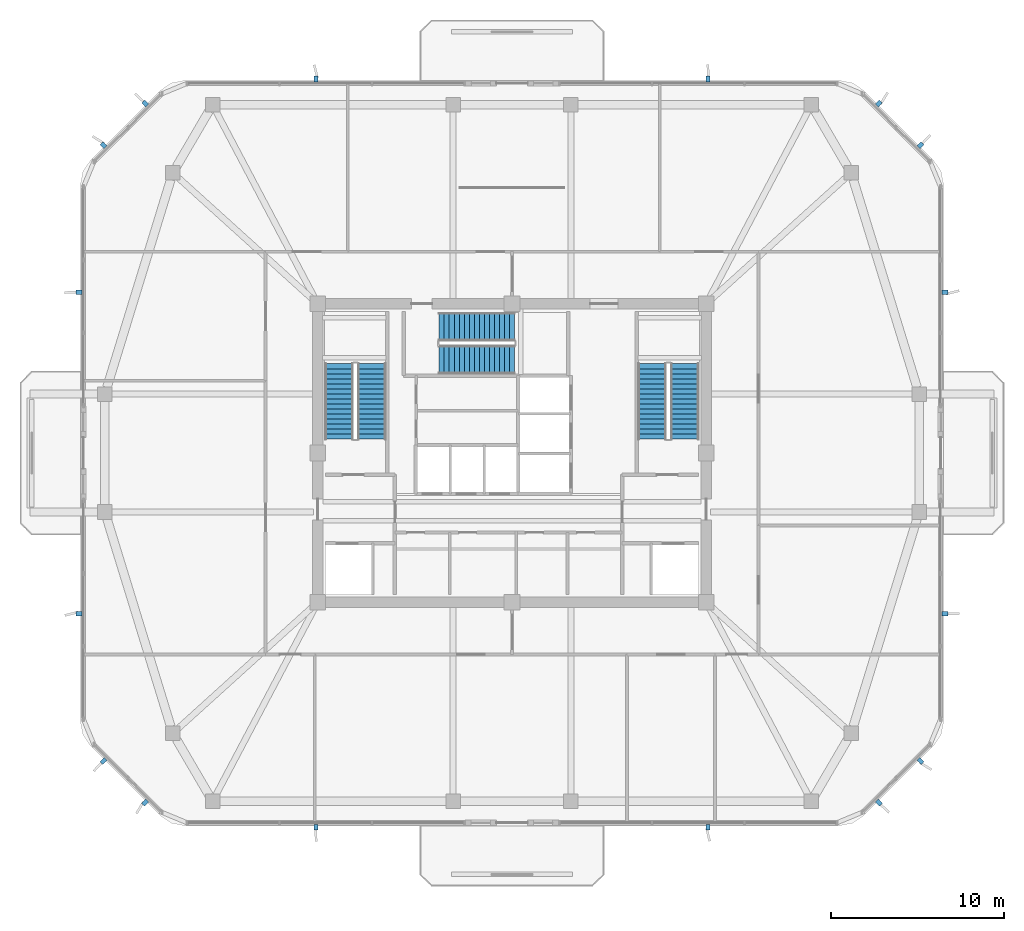
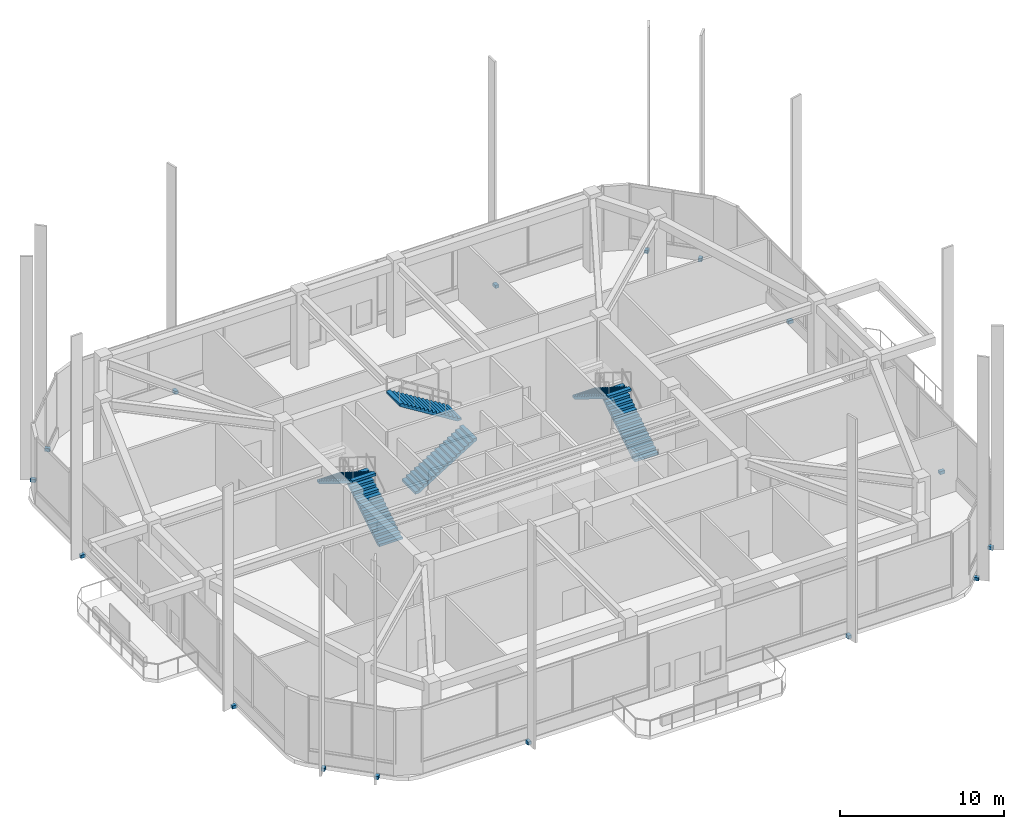
# One storey, part 10 of 14: 16 discrete accessories, 6 stair flights, 3 elements without a shape of their own.
"""IFC4 building model written with IfcOpenShell, lengths in metres."""

from ifc_helpers import new_model, si_unit, derived_unit, direction, frame, origin, origin_2d, place, context, subcontext, project, spatial, polyline, rectangle, outline, extrude, material, type_object, element, aggregate, save


model = new_model("IFC4")

# Units and contexts
model_context = context("Model", 3, precision=1e-05, world=origin(), true_north=direction((0.0, 1.0)))
body_context = subcontext(model_context, "Body", "Model", "MODEL_VIEW")
ifc_project = project(units=[si_unit("LENGTHUNIT", "METRE"), si_unit("AREAUNIT", "SQUARE_METRE"), si_unit("VOLUMEUNIT", "CUBIC_METRE"), si_unit("PLANEANGLEUNIT", "RADIAN"), si_unit("MASSUNIT", "GRAM", prefix="KILO"), derived_unit("THERMALTRANSMITTANCEUNIT", [(si_unit("POWERUNIT", "WATT"), 1), (si_unit("LENGTHUNIT", "METRE"), -2), (si_unit("THERMODYNAMICTEMPERATUREUNIT", "KELVIN"), -1)])], contexts=[model_context])

# Site, building, storey
site_placement = place(None, origin())
site = spatial("IfcSite", under=ifc_project, at=site_placement, CompositionType="ELEMENT")
building_placement = place(site_placement, origin())
building = spatial("IfcBuilding", under=site, at=building_placement, Name="Koralith Skygarden Medical Center", CompositionType="ELEMENT")
storey_placement = place(building_placement, frame((0.0, 0.0, 237.06005859375)))
storey = spatial("IfcBuildingStorey", under=building, at=storey_placement, Name="L61", CompositionType="ELEMENT", Elevation=237.06005859375)

# Stair, stair flights
ifc_material_1 = material(Name="Concrete C45/55", Category="concrete")
stair_type = type_object("IfcStairType", Name="Core Exit Dogleg Concrete Stair", PredefinedType="HALF_TURN_STAIR", material=ifc_material_1)
stair_1_placement = place(storey_placement, origin())
stair_1 = element("IfcStair", 1, at=stair_1_placement, inside=storey, type_object=stair_type, Name="L61 Smokeproof Exit Stair ST1", PredefinedType="HALF_TURN_STAIR")
stair_flight_type = type_object("IfcStairFlightType", Name="Core Exit Concrete Stair Flight 1650", PredefinedType="STRAIGHT", material=ifc_material_1)
stair_flight_1_placement = place(storey_placement, frame((28.925048828125, 26.699951171875, 0.0), z_axis=(0.0, 0.0, 1.0), x_axis=(0.0, 1.0, 0.0)))
stair_flight_1 = element("IfcStairFlight", 2, at=stair_flight_1_placement, type_object=stair_flight_type, Name="ST1 flight 1", NumberOfRisers=16, NumberOfTreads=15, PredefinedType="STRAIGHT", RiserHeight=0.18, TreadLength=0.29, context=body_context, shape_type="SweptSolid", body=[
    extrude(outline(polyline([(0.0, 0.0), (0.0, 0.179931640625), (0.2900390625, 0.179931640625), (0.2900390625, 0.360107421875), (0.580078125, 0.360107421875), (0.580078125, 0.5400390625), (0.8701171875, 0.5400390625), (0.8701171875, 0.719970703125), (1.159912109375, 0.719970703125), (1.159912109375, 0.89990234375), (1.449951171875, 0.89990234375), (1.449951171875, 1.080078125), (1.739990234375, 1.080078125), (1.739990234375, 1.260009765625), (2.030029296875, 1.260009765625), (2.030029296875, 1.43994140625), (2.320068359375, 1.43994140625), (2.320068359375, 1.6201171875), (2.610107421875, 1.6201171875), (2.610107421875, 1.800048828125), (2.89990234375, 1.800048828125), (2.89990234375, 1.97998046875), (3.18994140625, 1.97998046875), (3.18994140625, 2.159912109375), (3.47998046875, 2.159912109375), (3.47998046875, 2.340087890625), (3.77001953125, 2.340087890625), (3.77001953125, 2.52001953125), (4.06005859375, 2.52001953125), (4.06005859375, 2.699951171875), (4.35009765625, 2.699951171875), (4.35009765625, 2.8798828125), (4.35009765625, 2.523681640625), (0.2841796875, 0.0), (0.0, 0.0)])), frame((0.0, 0.824951171875, 0.0), z_axis=(0.0, -1.0, 0.0), x_axis=(1.0, 0.0, 0.0)), (0.0, 0.0, 1.0), 1.64990234375),
])
stair_flight_2_placement = place(storey_placement, frame((27.02490234375, 31.050048828125, 2.8798828125), z_axis=(0.0, 0.0, 1.0), x_axis=(0.0, -1.0, 0.0)))
stair_flight_2 = element("IfcStairFlight", 3, at=stair_flight_2_placement, type_object=stair_flight_type, Name="ST1 flight 2", NumberOfRisers=16, NumberOfTreads=15, PredefinedType="STRAIGHT", RiserHeight=0.18, TreadLength=0.29, context=body_context, shape_type="SweptSolid", body=[
    extrude(outline(polyline([(0.0, 0.0), (0.0, 0.179931640625), (0.2900390625, 0.179931640625), (0.2900390625, 0.360107421875), (0.580078125, 0.360107421875), (0.580078125, 0.5400390625), (0.8701171875, 0.5400390625), (0.8701171875, 0.719970703125), (1.159912109375, 0.719970703125), (1.159912109375, 0.89990234375), (1.449951171875, 0.89990234375), (1.449951171875, 1.080078125), (1.739990234375, 1.080078125), (1.739990234375, 1.260009765625), (2.030029296875, 1.260009765625), (2.030029296875, 1.43994140625), (2.320068359375, 1.43994140625), (2.320068359375, 1.6201171875), (2.610107421875, 1.6201171875), (2.610107421875, 1.800048828125), (2.89990234375, 1.800048828125), (2.89990234375, 1.97998046875), (3.18994140625, 1.97998046875), (3.18994140625, 2.159912109375), (3.47998046875, 2.159912109375), (3.47998046875, 2.340087890625), (3.77001953125, 2.340087890625), (3.77001953125, 2.52001953125), (4.06005859375, 2.52001953125), (4.06005859375, 2.699951171875), (4.35009765625, 2.699951171875), (4.35009765625, 2.8798828125), (4.35009765625, 2.523681640625), (0.2841796875, 0.0), (0.0, 0.0)])), frame((0.0, 0.824951171875, 0.0), z_axis=(0.0, -1.0, 0.0), x_axis=(1.0, 0.0, 0.0)), (0.0, 0.0, 1.0), 1.64990234375),
])
aggregate(stair_1, [stair_flight_1, stair_flight_2])

stair_2_placement = place(storey_placement, origin())
stair_2 = element("IfcStair", 4, at=stair_2_placement, inside=storey, type_object=stair_type, Name="L61 Smokeproof Exit Stair ST2", PredefinedType="HALF_TURN_STAIR")
stair_flight_3_placement = place(storey_placement, frame((46.97509765625, 26.699951171875, 0.0), z_axis=(0.0, 0.0, 1.0), x_axis=(0.0, 1.0, 0.0)))
stair_flight_3 = element("IfcStairFlight", 5, at=stair_flight_3_placement, type_object=stair_flight_type, Name="ST2 flight 1", NumberOfRisers=16, NumberOfTreads=15, PredefinedType="STRAIGHT", RiserHeight=0.18, TreadLength=0.29, context=body_context, shape_type="SweptSolid", body=[
    extrude(outline(polyline([(0.0, 0.0), (0.0, 0.179931640625), (0.2900390625, 0.179931640625), (0.2900390625, 0.360107421875), (0.580078125, 0.360107421875), (0.580078125, 0.5400390625), (0.8701171875, 0.5400390625), (0.8701171875, 0.719970703125), (1.159912109375, 0.719970703125), (1.159912109375, 0.89990234375), (1.449951171875, 0.89990234375), (1.449951171875, 1.080078125), (1.739990234375, 1.080078125), (1.739990234375, 1.260009765625), (2.030029296875, 1.260009765625), (2.030029296875, 1.43994140625), (2.320068359375, 1.43994140625), (2.320068359375, 1.6201171875), (2.610107421875, 1.6201171875), (2.610107421875, 1.800048828125), (2.89990234375, 1.800048828125), (2.89990234375, 1.97998046875), (3.18994140625, 1.97998046875), (3.18994140625, 2.159912109375), (3.47998046875, 2.159912109375), (3.47998046875, 2.340087890625), (3.77001953125, 2.340087890625), (3.77001953125, 2.52001953125), (4.06005859375, 2.52001953125), (4.06005859375, 2.699951171875), (4.35009765625, 2.699951171875), (4.35009765625, 2.8798828125), (4.35009765625, 2.523681640625), (0.2841796875, 0.0), (0.0, 0.0)])), frame((0.0, 0.824951171875, 0.0), z_axis=(0.0, -1.0, 0.0), x_axis=(1.0, 0.0, 0.0)), (0.0, 0.0, 1.0), 1.64990234375),
])
stair_flight_4_placement = place(storey_placement, frame((45.074951171875, 31.050048828125, 2.8798828125), z_axis=(0.0, 0.0, 1.0), x_axis=(0.0, -1.0, 0.0)))
stair_flight_4 = element("IfcStairFlight", 6, at=stair_flight_4_placement, type_object=stair_flight_type, Name="ST2 flight 2", NumberOfRisers=16, NumberOfTreads=15, PredefinedType="STRAIGHT", RiserHeight=0.18, TreadLength=0.29, context=body_context, shape_type="SweptSolid", body=[
    extrude(outline(polyline([(0.0, 0.0), (0.0, 0.179931640625), (0.2900390625, 0.179931640625), (0.2900390625, 0.360107421875), (0.580078125, 0.360107421875), (0.580078125, 0.5400390625), (0.8701171875, 0.5400390625), (0.8701171875, 0.719970703125), (1.159912109375, 0.719970703125), (1.159912109375, 0.89990234375), (1.449951171875, 0.89990234375), (1.449951171875, 1.080078125), (1.739990234375, 1.080078125), (1.739990234375, 1.260009765625), (2.030029296875, 1.260009765625), (2.030029296875, 1.43994140625), (2.320068359375, 1.43994140625), (2.320068359375, 1.6201171875), (2.610107421875, 1.6201171875), (2.610107421875, 1.800048828125), (2.89990234375, 1.800048828125), (2.89990234375, 1.97998046875), (3.18994140625, 1.97998046875), (3.18994140625, 2.159912109375), (3.47998046875, 2.159912109375), (3.47998046875, 2.340087890625), (3.77001953125, 2.340087890625), (3.77001953125, 2.52001953125), (4.06005859375, 2.52001953125), (4.06005859375, 2.699951171875), (4.35009765625, 2.699951171875), (4.35009765625, 2.8798828125), (4.35009765625, 2.523681640625), (0.2841796875, 0.0), (0.0, 0.0)])), frame((0.0, 0.824951171875, 0.0), z_axis=(0.0, -1.0, 0.0), x_axis=(1.0, 0.0, 0.0)), (0.0, 0.0, 1.0), 1.64990234375),
])
aggregate(stair_2, [stair_flight_3, stair_flight_4])

stair_3_placement = place(storey_placement, origin())
stair_3 = element("IfcStair", 7, at=stair_3_placement, inside=storey, type_object=stair_type, Name="L61 Smokeproof Exit Stair ST3", PredefinedType="HALF_TURN_STAIR")
stair_flight_5_placement = place(storey_placement, frame((32.800048828125, 31.27490234375, 0.0), z_axis=(0.0, 0.0, 1.0), x_axis=(1.0, 0.0, 0.0)))
stair_flight_5 = element("IfcStairFlight", 8, at=stair_flight_5_placement, type_object=stair_flight_type, Name="ST3 flight 1", NumberOfRisers=16, NumberOfTreads=15, PredefinedType="STRAIGHT", RiserHeight=0.18, TreadLength=0.29, context=body_context, shape_type="SweptSolid", body=[
    extrude(outline(polyline([(0.0, 0.0), (0.0, 0.179931640625), (0.2900390625, 0.179931640625), (0.2900390625, 0.360107421875), (0.580078125, 0.360107421875), (0.580078125, 0.5400390625), (0.8701171875, 0.5400390625), (0.8701171875, 0.719970703125), (1.159912109375, 0.719970703125), (1.159912109375, 0.89990234375), (1.449951171875, 0.89990234375), (1.449951171875, 1.080078125), (1.739990234375, 1.080078125), (1.739990234375, 1.260009765625), (2.030029296875, 1.260009765625), (2.030029296875, 1.43994140625), (2.320068359375, 1.43994140625), (2.320068359375, 1.6201171875), (2.610107421875, 1.6201171875), (2.610107421875, 1.800048828125), (2.89990234375, 1.800048828125), (2.89990234375, 1.97998046875), (3.18994140625, 1.97998046875), (3.18994140625, 2.159912109375), (3.47998046875, 2.159912109375), (3.47998046875, 2.340087890625), (3.77001953125, 2.340087890625), (3.77001953125, 2.52001953125), (4.06005859375, 2.52001953125), (4.06005859375, 2.699951171875), (4.35009765625, 2.699951171875), (4.35009765625, 2.8798828125), (4.35009765625, 2.523681640625), (0.2841796875, 0.0), (0.0, 0.0)])), frame((0.0, 0.824951171875, 0.0), z_axis=(0.0, -1.0, 0.0), x_axis=(1.0, 0.0, 0.0)), (0.0, 0.0, 1.0), 1.64990234375),
])
stair_flight_6_placement = place(storey_placement, frame((37.14990234375, 33.175048828125, 2.8798828125), z_axis=(0.0, 0.0, 1.0), x_axis=(-1.0, 0.0, 0.0)))
stair_flight_6 = element("IfcStairFlight", 9, at=stair_flight_6_placement, type_object=stair_flight_type, Name="ST3 flight 2", NumberOfRisers=16, NumberOfTreads=15, PredefinedType="STRAIGHT", RiserHeight=0.18, TreadLength=0.29, context=body_context, shape_type="SweptSolid", body=[
    extrude(outline(polyline([(0.0, 0.0), (0.0, 0.179931640625), (0.2900390625, 0.179931640625), (0.2900390625, 0.360107421875), (0.580078125, 0.360107421875), (0.580078125, 0.5400390625), (0.8701171875, 0.5400390625), (0.8701171875, 0.719970703125), (1.159912109375, 0.719970703125), (1.159912109375, 0.89990234375), (1.449951171875, 0.89990234375), (1.449951171875, 1.080078125), (1.739990234375, 1.080078125), (1.739990234375, 1.260009765625), (2.030029296875, 1.260009765625), (2.030029296875, 1.43994140625), (2.320068359375, 1.43994140625), (2.320068359375, 1.6201171875), (2.610107421875, 1.6201171875), (2.610107421875, 1.800048828125), (2.89990234375, 1.800048828125), (2.89990234375, 1.97998046875), (3.18994140625, 1.97998046875), (3.18994140625, 2.159912109375), (3.47998046875, 2.159912109375), (3.47998046875, 2.340087890625), (3.77001953125, 2.340087890625), (3.77001953125, 2.52001953125), (4.06005859375, 2.52001953125), (4.06005859375, 2.699951171875), (4.35009765625, 2.699951171875), (4.35009765625, 2.8798828125), (4.35009765625, 2.523681640625), (0.2841796875, 0.0), (0.0, 0.0)])), frame((0.0, 0.824951171875, 0.0), z_axis=(0.0, -1.0, 0.0), x_axis=(1.0, 0.0, 0.0)), (0.0, 0.0, 1.0), 1.64990234375),
])
aggregate(stair_3, [stair_flight_5, stair_flight_6])

# Discrete accessories
ifc_material_2 = material(Name="Steel ASTM A572 Grade 50", Category="steel")
discrete_accessory_type = type_object("IfcDiscreteAccessoryType", Name="Facade Fin Structural Anchor Bracket", PredefinedType="BRACKET", material=ifc_material_2)
for number, where, z_axis, x_axis, name in (
    (10, (25.68994140625, 4.320068359375, -0.26025390625), (0.0, 0.0, 1.0), (0.0, -1.0, 0.0), "L61 S Solar Fin Anchor Bracket 1"),
    (11, (48.31005859375, 4.320068359375, -0.26025390625), (0.0, 0.0, 1.0), (0.0, -1.0, 0.0), "L61 S Solar Fin Anchor Bracket 2"),
    (12, (58.157958984375, 5.743896484375, -0.26025390625), (0.0, 0.0, 1.0), (0.707106781187, -0.707106781187, 0.0), "L61 SE Solar Fin Anchor Bracket 1"),
    (13, (60.555908203125, 8.14208984375, -0.26025390625), (0.0, 0.0, 1.0), (0.707106781187, -0.707106781187, 0.0), "L61 SE Solar Fin Anchor Bracket 2"),
    (14, (61.97998046875, 16.6298828125, -0.26025390625), (0.0, 0.0, 1.0), (1.0, 0.0, 0.0), "L61 E Solar Fin Anchor Bracket 1"),
    (15, (61.97998046875, 35.169921875, -0.26025390625), (0.0, 0.0, 1.0), (1.0, 0.0, 0.0), "L61 E Solar Fin Anchor Bracket 2"),
    (16, (60.555908203125, 43.657958984375, -0.26025390625), (0.0, 0.0, 1.0), (0.707106781187, 0.707106781187, 0.0), "L61 NE Solar Fin Anchor Bracket 1"),
    (17, (58.157958984375, 46.055908203125, -0.26025390625), (0.0, 0.0, 1.0), (0.707106781187, 0.707106781187, 0.0), "L61 NE Solar Fin Anchor Bracket 2"),
    (18, (48.31005859375, 47.47998046875, -0.26025390625), (0.0, 0.0, 1.0), (0.0, 1.0, 0.0), "L61 N Solar Fin Anchor Bracket 1"),
    (19, (25.68994140625, 47.47998046875, -0.26025390625), (0.0, 0.0, 1.0), (0.0, 1.0, 0.0), "L61 N Solar Fin Anchor Bracket 2"),
    (20, (15.842041015625, 46.055908203125, -0.26025390625), (0.0, 0.0, 1.0), (-0.707106781187, 0.707106781187, 0.0), "L61 NW Solar Fin Anchor Bracket 1"),
    (21, (13.444091796875, 43.657958984375, -0.26025390625), (0.0, 0.0, 1.0), (-0.707106781187, 0.707106781187, 0.0), "L61 NW Solar Fin Anchor Bracket 2"),
    (22, (12.02001953125, 35.169921875, -0.26025390625), (0.0, 0.0, 1.0), (-1.0, 0.0, 0.0), "L61 W Solar Fin Anchor Bracket 1"),
    (23, (12.02001953125, 16.6298828125, -0.26025390625), (0.0, 0.0, 1.0), (-1.0, 0.0, 0.0), "L61 W Solar Fin Anchor Bracket 2"),
    (24, (13.444091796875, 8.14208984375, -0.26025390625), (0.0, 0.0, 1.0), (-0.707106781187, -0.707106781187, 0.0), "L61 SW Solar Fin Anchor Bracket 1"),
    (25, (15.842041015625, 5.743896484375, -0.26025390625), (0.0, 0.0, 1.0), (-0.707106781187, -0.707106781187, 0.0), "L61 SW Solar Fin Anchor Bracket 2"),
):
    element("IfcDiscreteAccessory", number, at=place(storey_placement, frame(where, z_axis=z_axis, x_axis=x_axis)), inside=storey, type_object=discrete_accessory_type, Name=name, PredefinedType="BRACKET", context=body_context, shape_type="SweptSolid", body=[
        extrude(rectangle(XDim=0.340087890625, YDim=0.239990234375, at=origin_2d()), origin(), (0.0, 0.0, 1.0), 0.239990234375),
    ])

save(model, "model.ifc")
